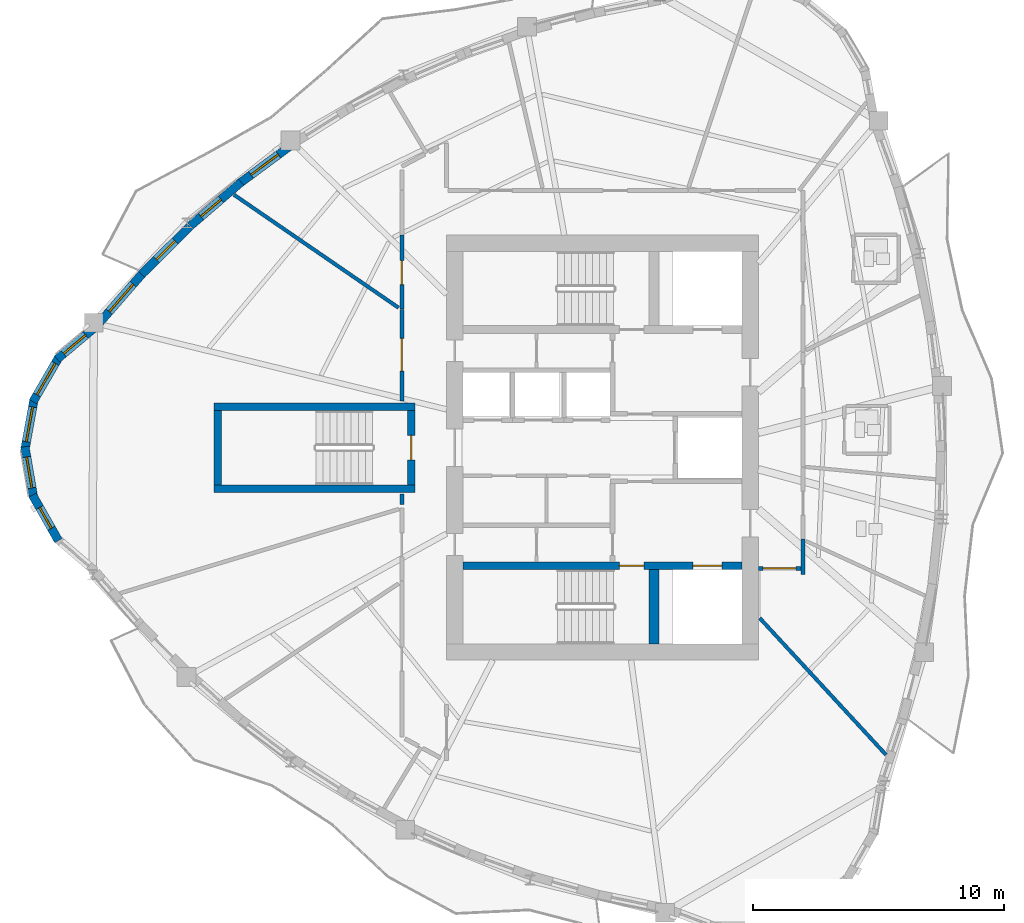
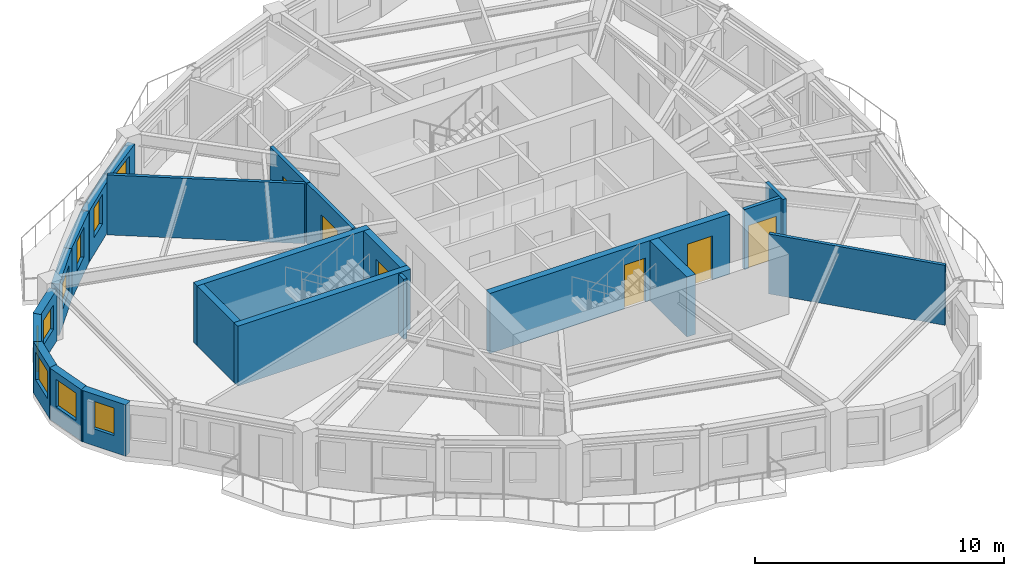
# One storey, part 4 of 12: 22 walls, 9 windows, 6 doors, 15 openings.
"""IFC4 building model written with IfcOpenShell, lengths in metres."""

from ifc_helpers import new_model, si_unit, direction, frame, frame_2d, origin, place, context, subcontext, project, spatial, rectangle, extrude, source, transform, mapped, material, layer, layer_set, type_object, element, fill, save


model = new_model("IFC4")

# Units and contexts
model_context = context("Model", 3, precision=1e-05, world=origin(), true_north=direction((0.0, 1.0)))
body_context = subcontext(model_context, "Body", "Model", "MODEL_VIEW")
ifc_project = project(units=[si_unit("LENGTHUNIT", "METRE"), si_unit("AREAUNIT", "SQUARE_METRE"), si_unit("VOLUMEUNIT", "CUBIC_METRE"), si_unit("PLANEANGLEUNIT", "RADIAN"), si_unit("MASSUNIT", "GRAM", prefix="KILO")], contexts=[model_context])

# Site, building, storey
site_placement = place(None, origin())
site = spatial("IfcSite", under=ifc_project, at=site_placement, CompositionType="ELEMENT")
building_placement = place(site_placement, origin())
building = spatial("IfcBuilding", under=site, at=building_placement, Name="Qafzar Sky-Pleat Residences", CompositionType="ELEMENT")
storey_placement = place(building_placement, frame((0.0, 0.0, 149.0)))
storey = spatial("IfcBuildingStorey", under=building, at=storey_placement, Name="L44", CompositionType="ELEMENT", Elevation=149.0)

# Wall, opening, door
ifc_material_1 = material(Name="Acoustic gypsum plasterboard partition", Category="gypsum")
ifc_layer_1 = layer(ifc_material_1, 0.159912109375)
ifc_layer_set_1 = layer_set([ifc_layer_1], Name="Acoustic gypsum plasterboard partition")
wall_type_1 = type_object("IfcWallType", Name="PART-COR-160", PredefinedType="PARTITIONING", material=ifc_layer_set_1)
wall_1_placement = place(storey_placement, frame((22.3701171875, 27.85009765625, 0.0), z_axis=(0.0, 0.0, 1.0), x_axis=(0.0, 1.0, 0.0)))
wall_1 = element("IfcWall", 1, at=wall_1_placement, inside=storey, type_object=wall_type_1, Name="L44 Partition Wall PART-L44-PW-006", PredefinedType="PARTITIONING", context=body_context, shape_type="SweptSolid", body=[
    extrude(rectangle(XDim=3.64599609375, YDim=0.159912109375, at=frame_2d((1.822998046875, 0.0))), origin(), (0.0, 0.0, 1.0), 2.93505859375),
])
opening_1_placement = place(wall_1_placement, frame((1.193603515625, 0.0, 0.0)))
opening_1 = element("IfcOpeningElement", 2, at=opening_1_placement, cuts=wall_1, Name="Opening ID-05", PredefinedType="OPENING", context=body_context, shape_type="SweptSolid", body=[
    extrude(rectangle(XDim=1.300048828125, YDim=2.10009765625, at=frame_2d((0.64990234375, 1.050048828125))), frame((0.0, 0.08984375, 0.0), z_axis=(0.0, -1.0, 0.0), x_axis=(1.0, 0.0, 0.0)), (0.0, 0.0, 1.0), 0.179931640625),
])
ifc_material_2 = material(Name="Timber-faced fire door", Category="wood")
door_type_1 = type_object("IfcDoorType", Name="DR-LNG-1300", OperationType="DOUBLE_DOOR_SINGLE_SWING", PredefinedType="DOOR", material=ifc_material_2)
shared_shape_1 = source(origin(), body_context, "Body", "SweptSolid", [
    extrude(rectangle(XDim=1.300048828125, YDim=2.10009765625, at=frame_2d((0.64990234375, 1.050048828125))), frame((0.0, 0.02490234375, 0.0), z_axis=(0.0, -1.0, 0.0), x_axis=(1.0, 0.0, 0.0)), (0.0, 0.0, 1.0), 0.050048828125),
])
door_1_placement = place(opening_1_placement, origin())
door_1 = element("IfcDoor", 3, at=door_1_placement, inside=storey, type_object=door_type_1, Name="L44 Tutorial Huddle Room Door", OperationType="DOUBLE_DOOR_SINGLE_SWING", OverallHeight=2.10009765625, OverallWidth=1.300048828125, PredefinedType="DOOR", context=body_context, shape_type="MappedRepresentation", body=[
    mapped(shared_shape_1, transform((0.0, 0.0, 0.0), x_axis=(1.0, 0.0, 0.0), y_axis=(0.0, 1.0, 0.0), z_axis=(0.0, 0.0, 1.0), scale=1.0)),
])
fill(opening_1, door_1)

wall_2_placement = place(storey_placement, frame((22.3701171875, 31.510986328125, 0.0), z_axis=(0.0, 0.0, 1.0), x_axis=(0.0, 1.0, 0.0)))
wall_2 = element("IfcWall", 4, at=wall_2_placement, inside=storey, type_object=wall_type_1, Name="L44 Partition Wall PART-L44-PW-007", PredefinedType="PARTITIONING", context=body_context, shape_type="SweptSolid", body=[
    extrude(rectangle(XDim=2.93896484375, YDim=0.159912109375, at=frame_2d((1.469482421875, 0.0))), origin(), (0.0, 0.0, 1.0), 2.93505859375),
])
opening_2_placement = place(wall_2_placement, frame((0.972900390625, 0.0, 0.0)))
opening_2 = element("IfcOpeningElement", 5, at=opening_2_placement, cuts=wall_2, Name="Opening ID-06", PredefinedType="OPENING", context=body_context, shape_type="SweptSolid", body=[
    extrude(rectangle(XDim=0.9599609375, YDim=2.10009765625, at=frame_2d((0.47998046875, 1.050048828125))), frame((0.0, 0.08984375, 0.0), z_axis=(0.0, -1.0, 0.0), x_axis=(1.0, 0.0, 0.0)), (0.0, 0.0, 1.0), 0.179931640625),
])
door_type_2 = type_object("IfcDoorType", Name="DR-STD-960", OperationType="NOTDEFINED", PredefinedType="DOOR", material=ifc_material_2)
shared_shape_2 = source(origin(), body_context, "Body", "SweptSolid", [
    extrude(rectangle(XDim=0.9599609375, YDim=2.10009765625, at=frame_2d((0.47998046875, 1.050048828125))), frame((0.0, 0.02490234375, 0.0), z_axis=(0.0, -1.0, 0.0), x_axis=(1.0, 0.0, 0.0)), (0.0, 0.0, 1.0), 0.050048828125),
])
door_2_placement = place(opening_2_placement, origin())
door_2 = element("IfcDoor", 6, at=door_2_placement, inside=storey, type_object=door_type_2, Name="L44 Media Screening Room Door", OperationType="SINGLE_SWING_LEFT", OverallHeight=2.10009765625, OverallWidth=0.9599609375, PredefinedType="DOOR", context=body_context, shape_type="MappedRepresentation", body=[
    mapped(shared_shape_2, transform((0.0, 0.0, 0.0), x_axis=(1.0, 0.0, 0.0), y_axis=(0.0, 1.0, 0.0), z_axis=(0.0, 0.0, 1.0), scale=1.0)),
])
fill(opening_2, door_2)

wall_3_placement = place(storey_placement, frame((38.241943359375, 21.199951171875, 0.0), z_axis=(0.0, 0.0, 1.0), x_axis=(-1.0, 0.0, 0.0)))
wall_3 = element("IfcWall", 7, at=wall_3_placement, inside=storey, type_object=wall_type_1, Name="L44 Partition Wall PART-L44-PW-014", PredefinedType="PARTITIONING", context=body_context, shape_type="SweptSolid", body=[
    extrude(rectangle(XDim=1.683837890625, YDim=0.159912109375, at=frame_2d((0.841796875, 0.0))), origin(), (0.0, 0.0, 1.0), 2.93505859375),
])
opening_3_placement = place(wall_3_placement, frame((0.199951171875, 0.0, 0.0)))
opening_3 = element("IfcOpeningElement", 8, at=opening_3_placement, cuts=wall_3, Name="Opening ID-05", PredefinedType="OPENING", context=body_context, shape_type="SweptSolid", body=[
    extrude(rectangle(XDim=1.300048828125, YDim=2.10009765625, at=frame_2d((0.64990234375, 1.050048828125))), frame((0.0, 0.08984375, 0.0), z_axis=(0.0, -1.0, 0.0), x_axis=(1.0, 0.0, 0.0)), (0.0, 0.0, 1.0), 0.179931640625),
])
door_3_placement = place(opening_3_placement, origin())
door_3 = element("IfcDoor", 9, at=door_3_placement, inside=storey, type_object=door_type_1, Name="L44 Co-Living Lounge Door", OperationType="DOUBLE_DOOR_SINGLE_SWING", OverallHeight=2.10009765625, OverallWidth=1.300048828125, PredefinedType="DOOR", context=body_context, shape_type="MappedRepresentation", body=[
    mapped(shared_shape_1, transform((0.0, 0.0, 0.0), x_axis=(1.0, 0.0, 0.0), y_axis=(0.0, 1.0, 0.0), z_axis=(0.0, 0.0, 1.0), scale=1.0)),
])
fill(opening_3, door_3)

# Walls
wall_4_placement = place(storey_placement, frame((38.330078125, 20.9599609375, 0.0), z_axis=(0.0, 0.0, 1.0), x_axis=(0.0, 1.0, 0.0)))
element("IfcWall", 10, at=wall_4_placement, inside=storey, type_object=wall_type_1, Name="L44 Partition Wall PART-L44-PW-038", PredefinedType="PARTITIONING", context=body_context, shape_type="SweptSolid", body=[
    extrude(rectangle(XDim=1.407958984375, YDim=0.159912109375, at=frame_2d((0.7041015625, 0.0))), origin(), (0.0, 0.0, 1.0), 2.93505859375),
])
wall_5_placement = place(storey_placement, frame((22.3701171875, 23.73095703125, 0.0), z_axis=(0.0, 0.0, 1.0), x_axis=(0.0, 1.0, 0.0)))
element("IfcWall", 11, at=wall_5_placement, inside=storey, type_object=wall_type_1, Name="L44 Partition Wall PART-L44-PW-042", PredefinedType="PARTITIONING", context=body_context, shape_type="SweptSolid", body=[
    extrude(rectangle(XDim=0.4189453125, YDim=0.159912109375, at=frame_2d((0.20947265625, 0.0))), origin(), (0.0, 0.0, 1.0), 2.93505859375),
])
ifc_layer_2 = layer(ifc_material_1, 0.14501953125)
ifc_layer_set_2 = layer_set([ifc_layer_2], Name="Acoustic gypsum plasterboard partition")
wall_type_2 = type_object("IfcWallType", Name="PART-UNIT-145", PredefinedType="PARTITIONING", material=ifc_layer_set_2)
wall_6_placement = place(storey_placement, frame((15.696044921875, 36.059814453125, 0.0), z_axis=(0.0, 0.0, 1.0), x_axis=(0.824423900824, -0.565972818914, 0.0)))
element("IfcWall", 12, at=wall_6_placement, inside=storey, type_object=wall_type_2, Name="L44 Partition Wall PART-L44-PW-018", PredefinedType="PARTITIONING", context=body_context, shape_type="SweptSolid", body=[
    extrude(rectangle(XDim=7.940673828125, YDim=0.14501953125, at=frame_2d((3.97021484375, 0.0))), origin(), (0.0, 0.0, 1.0), 2.93505859375),
])
wall_7_placement = place(storey_placement, frame((36.608642578125, 19.221435546875, 0.0), z_axis=(0.0, 0.0, 1.0), x_axis=(0.67832941292, -0.734757924467, 0.0)))
element("IfcWall", 13, at=wall_7_placement, inside=storey, type_object=wall_type_2, Name="L44 Partition Wall PART-L44-PW-019", PredefinedType="PARTITIONING", context=body_context, shape_type="SweptSolid", body=[
    extrude(rectangle(XDim=7.40283203125, YDim=0.14501953125, at=frame_2d((3.701416015625, 0.0))), origin(), (0.0, 0.0, 1.0), 2.93505859375),
])

# Wall, opening, window
ifc_material_3 = material(Name="Precast concrete C40/50 with honed Riyadh limestone", Category="concrete")
ifc_layer_3 = layer(ifc_material_3, 0.340087890625)
ifc_layer_set_3 = layer_set([ifc_layer_3], Name="Precast concrete C40/50 with honed Riyadh limestone")
wall_type_3 = type_object("IfcWallType", Name="WALL-EXT-340", PredefinedType="SOLIDWALL", material=ifc_layer_set_3)
wall_8_placement = place(storey_placement, frame((10.109375, 30.737548828125, 0.0), z_axis=(0.0, 0.0, 1.0), x_axis=(-0.76661852922, -0.642102819381, 0.0)))
wall_8 = element("IfcWall", 14, at=wall_8_placement, inside=storey, type_object=wall_type_3, Name="L44 Limestone Facade Wall 1", PredefinedType="SOLIDWALL", context=body_context, shape_type="SweptSolid", body=[
    extrude(rectangle(XDim=1.88818359375, YDim=0.340087890625, at=frame_2d((0.944091796875, 0.0))), origin(), (0.0, 0.0, 1.0), 2.514892578125),
])
opening_4_placement = place(wall_8_placement, frame((0.404052734375, 0.0, 0.820068359375)))
opening_4 = element("IfcOpeningElement", 15, at=opening_4_placement, cuts=wall_8, Name="Opening WN-16", PredefinedType="OPENING", context=body_context, shape_type="SweptSolid", body=[
    extrude(rectangle(XDim=1.14990234375, YDim=1.199951171875, at=frame_2d((0.574951171875, 0.60009765625))), frame((0.0, 0.18017578125, 0.0), z_axis=(0.0, -1.0, 0.0), x_axis=(1.0, 0.0, 0.0)), (0.0, 0.0, 1.0), 0.360107421875),
])
ifc_material_4 = material(Name="Solar-control low-E glass in bronze aluminium frame", Category="glass")
window_type_1 = type_object("IfcWindowType", Name="WIN-16", PartitioningType="SINGLE_PANEL", PredefinedType="WINDOW", material=ifc_material_4)
shared_shape_3 = source(origin(), body_context, "Body", "SweptSolid", [
    extrude(rectangle(XDim=1.14990234375, YDim=1.199951171875, at=frame_2d((0.574951171875, 0.60009765625))), frame((0.0, 0.030029296875, 0.0), z_axis=(0.0, -1.0, 0.0), x_axis=(1.0, 0.0, 0.0)), (0.0, 0.0, 1.0), 0.06005859375),
])
window_1_placement = place(opening_4_placement, origin())
window_1 = element("IfcWindow", 16, at=window_1_placement, inside=storey, type_object=window_type_1, Name="L44 Punched Facade Window 01", OverallHeight=1.199951171875, OverallWidth=1.14990234375, PartitioningType="SINGLE_PANEL", PredefinedType="WINDOW", context=body_context, shape_type="MappedRepresentation", body=[
    mapped(shared_shape_3, transform((0.0, 0.0, 0.0), x_axis=(1.0, 0.0, 0.0), y_axis=(0.0, 1.0, 0.0), z_axis=(0.0, 0.0, 1.0), scale=1.0)),
])
fill(opening_4, window_1)

wall_9_placement = place(storey_placement, frame((8.747802734375, 29.627197265625, 0.0), z_axis=(0.0, 0.0, 1.0), x_axis=(-0.502090235641, -0.864815237651, 0.0)))
wall_9 = element("IfcWall", 17, at=wall_9_placement, inside=storey, type_object=wall_type_3, Name="L44 Limestone Facade Wall 2", PredefinedType="SOLIDWALL", context=body_context, shape_type="SweptSolid", body=[
    extrude(rectangle(XDim=2.0810546875, YDim=0.340087890625, at=frame_2d((1.04052734375, 0.0))), origin(), (0.0, 0.0, 1.0), 2.514892578125),
])
opening_5_placement = place(wall_9_placement, frame((0.315673828125, 0.0, 0.820068359375)))
opening_5 = element("IfcOpeningElement", 18, at=opening_5_placement, cuts=wall_9, Name="Opening WN-15", PredefinedType="OPENING", context=body_context, shape_type="SweptSolid", body=[
    extrude(rectangle(XDim=1.449951171875, YDim=1.25, at=frame_2d((0.72509765625, 0.625))), frame((0.0, 0.18017578125, 0.0), z_axis=(0.0, -1.0, 0.0), x_axis=(1.0, 0.0, 0.0)), (0.0, 0.0, 1.0), 0.360107421875),
])
window_type_2 = type_object("IfcWindowType", Name="WIN-15", PartitioningType="SINGLE_PANEL", PredefinedType="WINDOW", material=ifc_material_4)
shared_shape_4 = source(origin(), body_context, "Body", "SweptSolid", [
    extrude(rectangle(XDim=1.449951171875, YDim=1.25, at=frame_2d((0.72509765625, 0.625))), frame((0.0, 0.030029296875, 0.0), z_axis=(0.0, -1.0, 0.0), x_axis=(1.0, 0.0, 0.0)), (0.0, 0.0, 1.0), 0.06005859375),
])
window_2_placement = place(opening_5_placement, origin())
window_2 = element("IfcWindow", 19, at=window_2_placement, inside=storey, type_object=window_type_2, Name="L44 Punched Facade Window 02", OverallHeight=1.25, OverallWidth=1.449951171875, PartitioningType="SINGLE_PANEL", PredefinedType="WINDOW", context=body_context, shape_type="MappedRepresentation", body=[
    mapped(shared_shape_4, transform((0.0, 0.0, 0.0), x_axis=(1.0, 0.0, 0.0), y_axis=(0.0, 1.0, 0.0), z_axis=(0.0, 0.0, 1.0), scale=1.0)),
])
fill(opening_5, window_2)

wall_10_placement = place(storey_placement, frame((7.7490234375, 27.952880859375, 0.0), z_axis=(0.0, 0.0, 1.0), x_axis=(-0.177605215389, -0.984101817632, 0.0)))
wall_10 = element("IfcWall", 20, at=wall_10_placement, inside=storey, type_object=wall_type_3, Name="L44 Limestone Facade Wall 3", PredefinedType="SOLIDWALL", context=body_context, shape_type="SweptSolid", body=[
    extrude(rectangle(XDim=2.081298828125, YDim=0.340087890625, at=frame_2d((1.04052734375, 0.0))), origin(), (0.0, 0.0, 1.0), 2.514892578125),
])
opening_6_placement = place(wall_10_placement, frame((0.340576171875, 0.0, 0.820068359375)))
opening_6 = element("IfcOpeningElement", 21, at=opening_6_placement, cuts=wall_10, Name="Opening WN-10", PredefinedType="OPENING", context=body_context, shape_type="SweptSolid", body=[
    extrude(rectangle(XDim=1.39990234375, YDim=1.35009765625, at=frame_2d((0.699951171875, 0.675048828125))), frame((0.0, 0.18017578125, 0.0), z_axis=(0.0, -1.0, 0.0), x_axis=(1.0, 0.0, 0.0)), (0.0, 0.0, 1.0), 0.360107421875),
])
window_type_3 = type_object("IfcWindowType", Name="WIN-10", PartitioningType="SINGLE_PANEL", PredefinedType="WINDOW", material=ifc_material_4)
shared_shape_5 = source(origin(), body_context, "Body", "SweptSolid", [
    extrude(rectangle(XDim=1.39990234375, YDim=1.35009765625, at=frame_2d((0.699951171875, 0.675048828125))), frame((0.0, 0.030029296875, 0.0), z_axis=(0.0, -1.0, 0.0), x_axis=(1.0, 0.0, 0.0)), (0.0, 0.0, 1.0), 0.06005859375),
])
window_3_placement = place(opening_6_placement, origin())
window_3 = element("IfcWindow", 22, at=window_3_placement, inside=storey, type_object=window_type_3, Name="L44 Punched Facade Window 03", OverallHeight=1.35009765625, OverallWidth=1.39990234375, PartitioningType="SINGLE_PANEL", PredefinedType="WINDOW", context=body_context, shape_type="MappedRepresentation", body=[
    mapped(shared_shape_5, transform((0.0, 0.0, 0.0), x_axis=(1.0, 0.0, 0.0), y_axis=(0.0, 1.0, 0.0), z_axis=(0.0, 0.0, 1.0), scale=1.0)),
])
fill(opening_6, window_3)

wall_11_placement = place(storey_placement, frame((7.380126953125, 26.03857421875, 0.0), z_axis=(0.0, 0.0, 1.0), x_axis=(0.168107405166, -0.985768685001, 0.0)))
wall_11 = element("IfcWall", 23, at=wall_11_placement, inside=storey, type_object=wall_type_3, Name="L44 Limestone Facade Wall 4", PredefinedType="SOLIDWALL", context=body_context, shape_type="SweptSolid", body=[
    extrude(rectangle(XDim=2.0810546875, YDim=0.340087890625, at=frame_2d((1.04052734375, 0.0))), origin(), (0.0, 0.0, 1.0), 2.514892578125),
])
opening_7_placement = place(wall_11_placement, frame((0.41552734375, 0.0, 0.820068359375)))
opening_7 = element("IfcOpeningElement", 24, at=opening_7_placement, cuts=wall_11, Name="Opening WN-11", PredefinedType="OPENING", context=body_context, shape_type="SweptSolid", body=[
    extrude(rectangle(XDim=1.25, YDim=1.35009765625, at=frame_2d((0.625, 0.675048828125))), frame((0.0, 0.18017578125, 0.0), z_axis=(0.0, -1.0, 0.0), x_axis=(1.0, 0.0, 0.0)), (0.0, 0.0, 1.0), 0.360107421875),
])
window_type_4 = type_object("IfcWindowType", Name="WIN-11", PartitioningType="SINGLE_PANEL", PredefinedType="WINDOW", material=ifc_material_4)
shared_shape_6 = source(origin(), body_context, "Body", "SweptSolid", [
    extrude(rectangle(XDim=1.25, YDim=1.35009765625, at=frame_2d((0.625, 0.675048828125))), frame((0.0, 0.030029296875, 0.0), z_axis=(0.0, -1.0, 0.0), x_axis=(1.0, 0.0, 0.0)), (0.0, 0.0, 1.0), 0.06005859375),
])
window_4_placement = place(opening_7_placement, origin())
window_4 = element("IfcWindow", 25, at=window_4_placement, inside=storey, type_object=window_type_4, Name="L44 Punched Facade Window 04", OverallHeight=1.35009765625, OverallWidth=1.25, PartitioningType="SINGLE_PANEL", PredefinedType="WINDOW", context=body_context, shape_type="MappedRepresentation", body=[
    mapped(shared_shape_6, transform((0.0, 0.0, 0.0), x_axis=(1.0, 0.0, 0.0), y_axis=(0.0, 1.0, 0.0), z_axis=(0.0, 0.0, 1.0), scale=1.0)),
])
fill(opening_7, window_4)

wall_12_placement = place(storey_placement, frame((7.68505859375, 24.11279296875, 0.0), z_axis=(0.0, 0.0, 1.0), x_axis=(0.49374939324, -0.869604241408, 0.0)))
wall_12 = element("IfcWall", 26, at=wall_12_placement, inside=storey, type_object=wall_type_3, Name="L44 Limestone Facade Wall 5", PredefinedType="SOLIDWALL", context=body_context, shape_type="SweptSolid", body=[
    extrude(rectangle(XDim=2.081298828125, YDim=0.340087890625, at=frame_2d((1.04052734375, 0.0))), origin(), (0.0, 0.0, 1.0), 2.514892578125),
])
opening_8_placement = place(wall_12_placement, frame((0.565673828125, 0.0, 0.820068359375)))
opening_8 = element("IfcOpeningElement", 27, at=opening_8_placement, cuts=wall_12, Name="Opening WN-12", PredefinedType="OPENING", context=body_context, shape_type="SweptSolid", body=[
    extrude(rectangle(XDim=0.949951171875, YDim=1.35009765625, at=frame_2d((0.47509765625, 0.675048828125))), frame((0.0, 0.18017578125, 0.0), z_axis=(0.0, -1.0, 0.0), x_axis=(1.0, 0.0, 0.0)), (0.0, 0.0, 1.0), 0.360107421875),
])
window_type_5 = type_object("IfcWindowType", Name="WIN-12", PartitioningType="SINGLE_PANEL", PredefinedType="WINDOW", material=ifc_material_4)
shared_shape_7 = source(origin(), body_context, "Body", "SweptSolid", [
    extrude(rectangle(XDim=0.949951171875, YDim=1.35009765625, at=frame_2d((0.47509765625, 0.675048828125))), frame((0.0, 0.030029296875, 0.0), z_axis=(0.0, -1.0, 0.0), x_axis=(1.0, 0.0, 0.0)), (0.0, 0.0, 1.0), 0.06005859375),
])
window_5_placement = place(opening_8_placement, origin())
window_5 = element("IfcWindow", 28, at=window_5_placement, inside=storey, type_object=window_type_5, Name="L44 Punched Facade Window 05", OverallHeight=1.35009765625, OverallWidth=0.949951171875, PartitioningType="SINGLE_PANEL", PredefinedType="WINDOW", context=body_context, shape_type="MappedRepresentation", body=[
    mapped(shared_shape_7, transform((0.0, 0.0, 0.0), x_axis=(1.0, 0.0, 0.0), y_axis=(0.0, 1.0, 0.0), z_axis=(0.0, 0.0, 1.0), scale=1.0)),
])
fill(opening_8, window_5)

wall_13_placement = place(storey_placement, frame((17.91748046875, 37.9931640625, 0.0), z_axis=(0.0, 0.0, 1.0), x_axis=(-0.803792400414, -0.594909889846, 0.0)))
wall_13 = element("IfcWall", 29, at=wall_13_placement, inside=storey, type_object=wall_type_3, Name="L44 Limestone Facade Wall 45", PredefinedType="SOLIDWALL", context=body_context, shape_type="SweptSolid", body=[
    extrude(rectangle(XDim=2.5, YDim=0.340087890625, at=frame_2d((1.25, 0.0))), origin(), (0.0, 0.0, 1.0), 2.514892578125),
])
opening_9_placement = place(wall_13_placement, frame((0.570068359375, 0.0, 0.820068359375)))
opening_9 = element("IfcOpeningElement", 30, at=opening_9_placement, cuts=wall_13, Name="Opening WN-04", PredefinedType="OPENING", context=body_context, shape_type="SweptSolid", body=[
    extrude(rectangle(XDim=1.35009765625, YDim=1.449951171875, at=frame_2d((0.675048828125, 0.72509765625))), frame((0.0, 0.18017578125, 0.0), z_axis=(0.0, -1.0, 0.0), x_axis=(1.0, 0.0, 0.0)), (0.0, 0.0, 1.0), 0.360107421875),
])
window_type_6 = type_object("IfcWindowType", Name="WIN-04", PartitioningType="SINGLE_PANEL", PredefinedType="WINDOW", material=ifc_material_4)
shared_shape_8 = source(origin(), body_context, "Body", "SweptSolid", [
    extrude(rectangle(XDim=1.35009765625, YDim=1.449951171875, at=frame_2d((0.675048828125, 0.72509765625))), frame((0.0, 0.030029296875, 0.0), z_axis=(0.0, -1.0, 0.0), x_axis=(1.0, 0.0, 0.0)), (0.0, 0.0, 1.0), 0.06005859375),
])
window_6_placement = place(opening_9_placement, origin())
window_6 = element("IfcWindow", 31, at=window_6_placement, inside=storey, type_object=window_type_6, Name="L44 Punched Facade Window 45", OverallHeight=1.449951171875, OverallWidth=1.35009765625, PartitioningType="SINGLE_PANEL", PredefinedType="WINDOW", context=body_context, shape_type="MappedRepresentation", body=[
    mapped(shared_shape_8, transform((0.0, 0.0, 0.0), x_axis=(1.0, 0.0, 0.0), y_axis=(0.0, 1.0, 0.0), z_axis=(0.0, 0.0, 1.0), scale=1.0)),
])
fill(opening_9, window_6)

wall_14_placement = place(storey_placement, frame((15.97705078125, 36.56103515625, 0.0), z_axis=(0.0, 0.0, 1.0), x_axis=(-0.757481825022, -0.652856251223, 0.0)))
wall_14 = element("IfcWall", 32, at=wall_14_placement, inside=storey, type_object=wall_type_3, Name="L44 Limestone Facade Wall 46", PredefinedType="SOLIDWALL", context=body_context, shape_type="SweptSolid", body=[
    extrude(rectangle(XDim=2.664794921875, YDim=0.340087890625, at=frame_2d((1.33251953125, 0.0))), origin(), (0.0, 0.0, 1.0), 2.514892578125),
])
opening_10_placement = place(wall_14_placement, frame((1.052490234375, 0.0, 0.820068359375)))
opening_10 = element("IfcOpeningElement", 33, at=opening_10_placement, cuts=wall_14, Name="Opening WN-06", PredefinedType="OPENING", context=body_context, shape_type="SweptSolid", body=[
    extrude(rectangle(XDim=1.050048828125, YDim=1.449951171875, at=frame_2d((0.52490234375, 0.72509765625))), frame((0.0, 0.18017578125, 0.0), z_axis=(0.0, -1.0, 0.0), x_axis=(1.0, 0.0, 0.0)), (0.0, 0.0, 1.0), 0.360107421875),
])
window_type_7 = type_object("IfcWindowType", Name="WIN-06", PartitioningType="SINGLE_PANEL", PredefinedType="WINDOW", material=ifc_material_4)
shared_shape_9 = source(origin(), body_context, "Body", "SweptSolid", [
    extrude(rectangle(XDim=1.050048828125, YDim=1.449951171875, at=frame_2d((0.52490234375, 0.72509765625))), frame((0.0, 0.030029296875, 0.0), z_axis=(0.0, -1.0, 0.0), x_axis=(1.0, 0.0, 0.0)), (0.0, 0.0, 1.0), 0.06005859375),
])
window_7_placement = place(opening_10_placement, origin())
window_7 = element("IfcWindow", 34, at=window_7_placement, inside=storey, type_object=window_type_7, Name="L44 Punched Facade Window 46-2", OverallHeight=1.449951171875, OverallWidth=1.050048828125, PartitioningType="SINGLE_PANEL", PredefinedType="WINDOW", context=body_context, shape_type="MappedRepresentation", body=[
    mapped(shared_shape_9, transform((0.0, 0.0, 0.0), x_axis=(1.0, 0.0, 0.0), y_axis=(0.0, 1.0, 0.0), z_axis=(0.0, 0.0, 1.0), scale=1.0)),
])
fill(opening_10, window_7)

wall_15_placement = place(storey_placement, frame((13.93798828125, 34.802490234375, 0.0), z_axis=(0.0, 0.0, 1.0), x_axis=(-0.708367539121, -0.705843771326, 0.0)))
wall_15 = element("IfcWall", 35, at=wall_15_placement, inside=storey, type_object=wall_type_3, Name="L44 Limestone Facade Wall 47", PredefinedType="SOLIDWALL", context=body_context, shape_type="SweptSolid", body=[
    extrude(rectangle(XDim=2.708740234375, YDim=0.340087890625, at=frame_2d((1.3544921875, 0.0))), origin(), (0.0, 0.0, 1.0), 2.514892578125),
])
opening_11_placement = place(wall_15_placement, frame((0.8193359375, 0.0, 0.820068359375)))
opening_11 = element("IfcOpeningElement", 36, at=opening_11_placement, cuts=wall_15, Name="Opening WN-06", PredefinedType="OPENING", context=body_context, shape_type="SweptSolid", body=[
    extrude(rectangle(XDim=1.050048828125, YDim=1.449951171875, at=frame_2d((0.52490234375, 0.72509765625))), frame((0.0, 0.18017578125, 0.0), z_axis=(0.0, -1.0, 0.0), x_axis=(1.0, 0.0, 0.0)), (0.0, 0.0, 1.0), 0.360107421875),
])
window_8_placement = place(opening_11_placement, origin())
window_8 = element("IfcWindow", 37, at=window_8_placement, inside=storey, type_object=window_type_7, Name="L44 Punched Facade Window 47", OverallHeight=1.449951171875, OverallWidth=1.050048828125, PartitioningType="SINGLE_PANEL", PredefinedType="WINDOW", context=body_context, shape_type="MappedRepresentation", body=[
    mapped(shared_shape_9, transform((0.0, 0.0, 0.0), x_axis=(1.0, 0.0, 0.0), y_axis=(0.0, 1.0, 0.0), z_axis=(0.0, 0.0, 1.0), scale=1.0)),
])
fill(opening_11, window_8)

wall_16_placement = place(storey_placement, frame((12.079345703125, 32.95458984375, 0.0), z_axis=(0.0, 0.0, 1.0), x_axis=(-0.657656813057, -0.753317672857, 0.0)))
wall_16 = element("IfcWall", 38, at=wall_16_placement, inside=storey, type_object=wall_type_3, Name="L44 Limestone Facade Wall 48", PredefinedType="SOLIDWALL", context=body_context, shape_type="SweptSolid", body=[
    extrude(rectangle(XDim=2.63134765625, YDim=0.340087890625, at=frame_2d((1.315673828125, 0.0))), origin(), (0.0, 0.0, 1.0), 2.514892578125),
])
opening_12_placement = place(wall_16_placement, frame((0.595703125, 0.0, 0.820068359375)))
opening_12 = element("IfcOpeningElement", 39, at=opening_12_placement, cuts=wall_16, Name="Opening WN-15", PredefinedType="OPENING", context=body_context, shape_type="SweptSolid", body=[
    extrude(rectangle(XDim=1.449951171875, YDim=1.25, at=frame_2d((0.72509765625, 0.625))), frame((0.0, 0.18017578125, 0.0), z_axis=(0.0, -1.0, 0.0), x_axis=(1.0, 0.0, 0.0)), (0.0, 0.0, 1.0), 0.360107421875),
])
window_9_placement = place(opening_12_placement, origin())
window_9 = element("IfcWindow", 40, at=window_9_placement, inside=storey, type_object=window_type_2, Name="L44 Punched Facade Window 48", OverallHeight=1.25, OverallWidth=1.449951171875, PartitioningType="SINGLE_PANEL", PredefinedType="WINDOW", context=body_context, shape_type="MappedRepresentation", body=[
    mapped(shared_shape_4, transform((0.0, 0.0, 0.0), x_axis=(1.0, 0.0, 0.0), y_axis=(0.0, 1.0, 0.0), z_axis=(0.0, 0.0, 1.0), scale=1.0)),
])
fill(opening_12, window_9)

# Wall, openings, doors
ifc_material_5 = material(Name="Concrete C60/75", Category="concrete")
ifc_layer_4 = layer(ifc_material_5, 0.300048828125)
ifc_layer_set_4 = layer_set([ifc_layer_4], Name="Concrete C60/75")
wall_type_4 = type_object("IfcWallType", Name="WALL-SHEAR-300", PredefinedType="SHEAR", material=ifc_layer_set_4)
wall_17_placement = place(storey_placement, frame((24.800048828125, 21.300048828125, 0.0), z_axis=(0.0, 0.0, 1.0), x_axis=(1.0, 0.0, 0.0)))
wall_17 = element("IfcWall", 41, at=wall_17_placement, inside=storey, type_object=wall_type_4, Name="L44 Stair ST1 and FF1 Shaft North Wall", PredefinedType="SHEAR", context=body_context, shape_type="SweptSolid", body=[
    extrude(rectangle(XDim=11.099853515625, YDim=0.300048828125, at=frame_2d((5.5498046875, 0.0))), origin(), (0.0, 0.0, 1.0), 2.93505859375),
])
opening_13_placement = place(wall_17_placement, frame((6.219970703125, 0.0, 0.0)))
opening_13 = element("IfcOpeningElement", 42, at=opening_13_placement, cuts=wall_17, Name="Opening ID-01", PredefinedType="OPENING", context=body_context, shape_type="SweptSolid", body=[
    extrude(rectangle(XDim=0.97998046875, YDim=2.14990234375, at=frame_2d((0.489990234375, 1.074951171875))), frame((0.0, 0.16015625, 0.0), z_axis=(0.0, -1.0, 0.0), x_axis=(1.0, 0.0, 0.0)), (0.0, 0.0, 1.0), 0.320068359375),
])
opening_14_placement = place(wall_17_placement, frame((9.14990234375, 0.0, 0.0)))
opening_14 = element("IfcOpeningElement", 43, at=opening_14_placement, cuts=wall_17, Name="Opening LD-02", PredefinedType="OPENING", context=body_context, shape_type="SweptSolid", body=[
    extrude(rectangle(XDim=1.14990234375, YDim=2.14990234375, at=frame_2d((0.574951171875, 1.074951171875))), frame((0.0, 0.16015625, 0.0), z_axis=(0.0, -1.0, 0.0), x_axis=(1.0, 0.0, 0.0)), (0.0, 0.0, 1.0), 0.320068359375),
])
door_type_3 = type_object("IfcDoorType", Name="DR-STAIR-980", OperationType="NOTDEFINED", PredefinedType="DOOR", material=ifc_material_2)
shared_shape_10 = source(origin(), body_context, "Body", "SweptSolid", [
    extrude(rectangle(XDim=0.97998046875, YDim=2.14990234375, at=frame_2d((0.489990234375, 1.074951171875))), frame((0.0, 0.02490234375, 0.0), z_axis=(0.0, -1.0, 0.0), x_axis=(1.0, 0.0, 0.0)), (0.0, 0.0, 1.0), 0.050048828125),
])
door_4_placement = place(opening_13_placement, origin())
door_4 = element("IfcDoor", 44, at=door_4_placement, inside=storey, type_object=door_type_3, Name="L44 Stair ST1 Fire Door", OperationType="SINGLE_SWING_RIGHT", OverallHeight=2.14990234375, OverallWidth=0.97998046875, PredefinedType="DOOR", context=body_context, shape_type="MappedRepresentation", body=[
    mapped(shared_shape_10, transform((0.0, 0.0, 0.0), x_axis=(1.0, 0.0, 0.0), y_axis=(0.0, 1.0, 0.0), z_axis=(0.0, 0.0, 1.0), scale=1.0)),
])
fill(opening_13, door_4)
ifc_material_6 = material(Name="Stainless steel sliding landing door", Category="steel")
door_type_4 = type_object("IfcDoorType", Name="DR-LIFT-FF", OperationType="DOUBLE_DOOR_SLIDING", PredefinedType="DOOR", material=ifc_material_6)
shared_shape_11 = source(origin(), body_context, "Body", "SweptSolid", [
    extrude(rectangle(XDim=1.14990234375, YDim=2.14990234375, at=frame_2d((0.574951171875, 1.074951171875))), frame((0.0, 0.02490234375, 0.0), z_axis=(0.0, -1.0, 0.0), x_axis=(1.0, 0.0, 0.0)), (0.0, 0.0, 1.0), 0.050048828125),
])
door_5_placement = place(opening_14_placement, origin())
door_5 = element("IfcDoor", 45, at=door_5_placement, inside=storey, type_object=door_type_4, Name="L44 Firefighting Lift FF1 Landing Door", OperationType="DOUBLE_DOOR_SLIDING", OverallHeight=2.14990234375, OverallWidth=1.14990234375, PredefinedType="DOOR", context=body_context, shape_type="MappedRepresentation", body=[
    mapped(shared_shape_11, transform((0.0, 0.0, 0.0), x_axis=(1.0, 0.0, 0.0), y_axis=(0.0, 1.0, 0.0), z_axis=(0.0, 0.0, 1.0), scale=1.0)),
])
fill(opening_14, door_5)

# Walls
for number, where, z_axis, x_axis, name in (
    (46, (14.89990234375, 24.375, 0.0), (0.0, 0.0, 1.0), (1.0, 0.0, 0.0), "L44 ST3 wall S"),
    (47, (22.89990234375, 27.625, 0.0), (0.0, 0.0, 1.0), (-1.0, 0.0, 0.0), "L44 ST3 wall N"),
):
    element("IfcWall", number, at=place(storey_placement, frame(where, z_axis=z_axis, x_axis=x_axis)), inside=storey, type_object=wall_type_4, Name=name, PredefinedType="SHEAR", context=body_context, shape_type="SweptSolid", body=[
        extrude(rectangle(XDim=8.0, YDim=0.300048828125, at=frame_2d((4.0, 0.0))), origin(), (0.0, 0.0, 1.0), 2.93505859375),
    ])
wall_18_placement = place(storey_placement, frame((15.050048828125, 27.47509765625, 0.0), z_axis=(0.0, 0.0, 1.0), x_axis=(0.0, -1.0, 0.0)))
element("IfcWall", 48, at=wall_18_placement, inside=storey, type_object=wall_type_4, Name="L44 ST3 wall W", PredefinedType="SHEAR", context=body_context, shape_type="SweptSolid", body=[
    extrude(rectangle(XDim=2.9501953125, YDim=0.300048828125, at=frame_2d((1.47509765625, 0.0))), origin(), (0.0, 0.0, 1.0), 2.93505859375),
])

# Wall, opening, door
wall_19_placement = place(storey_placement, frame((22.75, 24.52490234375, 0.0), z_axis=(0.0, 0.0, 1.0), x_axis=(0.0, 1.0, 0.0)))
wall_19 = element("IfcWall", 49, at=wall_19_placement, inside=storey, type_object=wall_type_4, Name="L44 ST3 wall E", PredefinedType="SHEAR", context=body_context, shape_type="SweptSolid", body=[
    extrude(rectangle(XDim=2.9501953125, YDim=0.300048828125, at=frame_2d((1.47509765625, 0.0))), origin(), (0.0, 0.0, 1.0), 2.93505859375),
])
opening_15_placement = place(wall_19_placement, frame((0.985107421875, 0.0, 0.0)))
opening_15 = element("IfcOpeningElement", 50, at=opening_15_placement, cuts=wall_19, Name="Opening ID-01", PredefinedType="OPENING", context=body_context, shape_type="SweptSolid", body=[
    extrude(rectangle(XDim=0.97998046875, YDim=2.14990234375, at=frame_2d((0.489990234375, 1.074951171875))), frame((0.0, 0.16015625, 0.0), z_axis=(0.0, -1.0, 0.0), x_axis=(1.0, 0.0, 0.0)), (0.0, 0.0, 1.0), 0.320068359375),
])
door_6_placement = place(opening_15_placement, origin())
door_6 = element("IfcDoor", 51, at=door_6_placement, inside=storey, type_object=door_type_3, Name="L44 Stair ST3 Fire Door", OperationType="SINGLE_SWING_RIGHT", OverallHeight=2.14990234375, OverallWidth=0.97998046875, PredefinedType="DOOR", context=body_context, shape_type="MappedRepresentation", body=[
    mapped(shared_shape_10, transform((0.0, 0.0, 0.0), x_axis=(1.0, 0.0, 0.0), y_axis=(0.0, 1.0, 0.0), z_axis=(0.0, 0.0, 1.0), scale=1.0)),
])
fill(opening_15, door_6)

# Wall
ifc_layer_5 = layer(ifc_material_5, 0.39990234375)
ifc_layer_set_5 = layer_set([ifc_layer_5], Name="Concrete C60/75")
wall_type_5 = type_object("IfcWallType", Name="WALL-SHEAR-400", PredefinedType="SHEAR", material=ifc_layer_set_5)
wall_20_placement = place(storey_placement, frame((32.39990234375, 18.199951171875, 0.0), z_axis=(0.0, 0.0, 1.0), x_axis=(0.0, 1.0, 0.0)))
element("IfcWall", 52, at=wall_20_placement, inside=storey, type_object=wall_type_5, Name="L44 Stair ST1 East Dividing Wall", PredefinedType="SHEAR", context=body_context, shape_type="SweptSolid", body=[
    extrude(rectangle(XDim=2.949951171875, YDim=0.39990234375, at=frame_2d((1.47509765625, 0.0))), origin(), (0.0, 0.0, 1.0), 2.93505859375),
])

save(model, "model.ifc")
